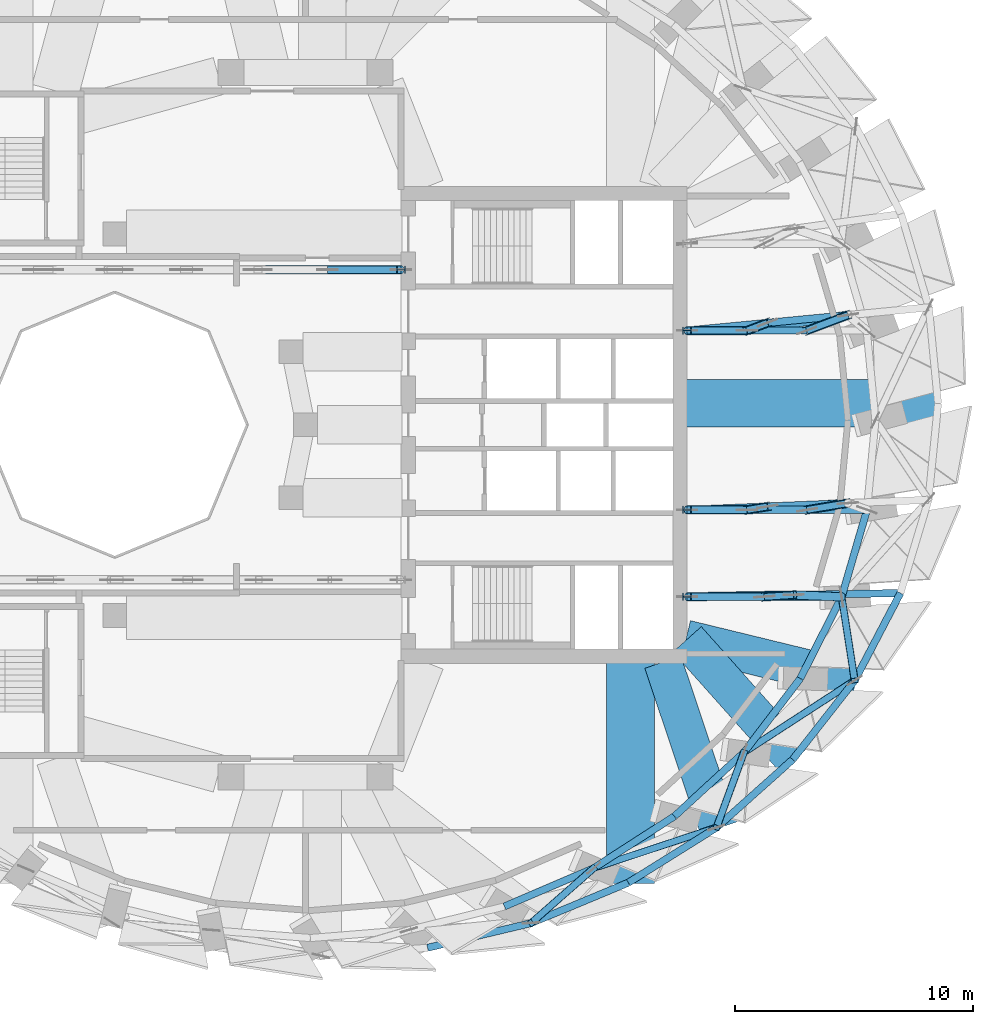
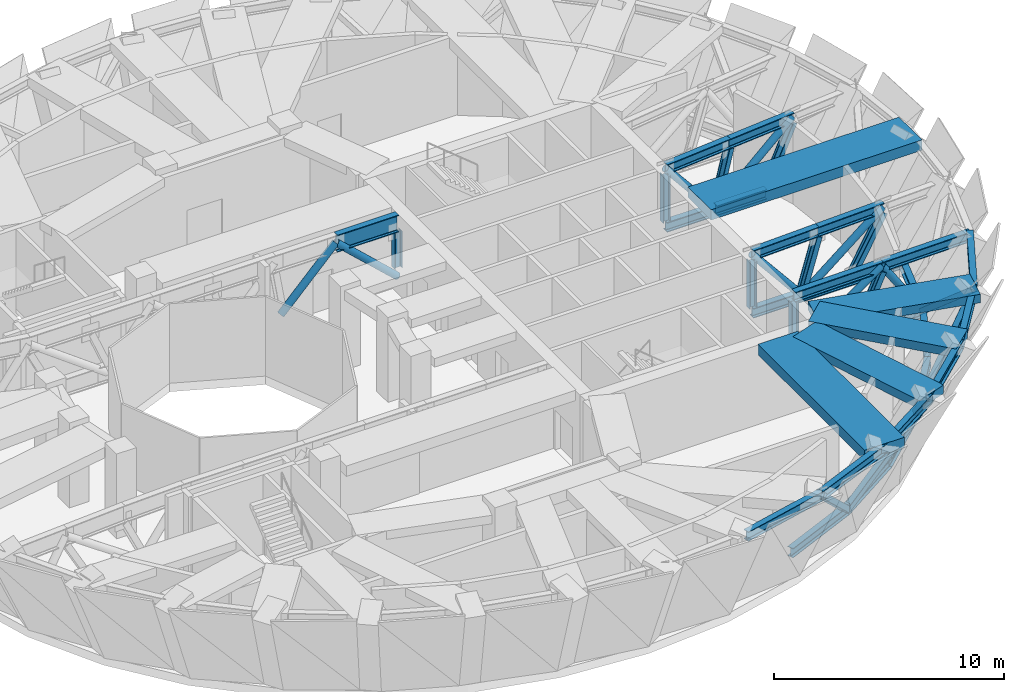
# One storey, part 4 of 16: 48 members, 5 beams.
"""IFC4 building model written with IfcOpenShell, lengths in metres."""

from ifc_helpers import new_model, si_unit, direction, frame, origin, origin_2d, place, context, subcontext, project, spatial, rectangle, hollow_rectangle, hollow_circle, i_section, extrude, material, material_profile, profile_set, type_object, element, save


model = new_model("IFC4")

# Units and contexts
model_context = context("Model", 3, precision=1e-05, world=origin(), true_north=direction((0.0, 1.0)))
body_context = subcontext(model_context, "Body", "Model", "MODEL_VIEW")
ifc_project = project(units=[si_unit("LENGTHUNIT", "METRE"), si_unit("AREAUNIT", "SQUARE_METRE"), si_unit("VOLUMEUNIT", "CUBIC_METRE"), si_unit("PLANEANGLEUNIT", "RADIAN"), si_unit("MASSUNIT", "GRAM", prefix="KILO")], contexts=[model_context])

# Site, building, storey
site_placement = place(None, origin())
site = spatial("IfcSite", under=ifc_project, at=site_placement, CompositionType="ELEMENT")
building_placement = place(site_placement, origin())
building = spatial("IfcBuilding", under=site, at=building_placement, Name="Taillehof Tower", CompositionType="ELEMENT")
storey_placement = place(building_placement, frame((0.0, 0.0, 184.699951171875)))
storey = spatial("IfcBuildingStorey", under=building, at=storey_placement, Name="L52", CompositionType="ELEMENT", Elevation=184.699951171875)

# Members
ifc_material_1 = material(Name="Steel S460M", Category="steel")
ifc_material_profile_1 = material_profile(ifc_material_1, i_section(OverallWidth=0.300048828125, OverallDepth=0.5, WebThickness=0.014404296875, FlangeThickness=0.028076171875, FilletRadius=0.027099609375, at=origin_2d()), Name="HEB 500")
ifc_profile_set_1 = profile_set([ifc_material_profile_1], Name="Steel S460M")
member_type_1 = type_object("IfcMemberType", Name="Belt truss chord HEB 500", PredefinedType="CHORD", material=ifc_profile_set_1)
member_1_placement = place(storey_placement, frame((5.117431640625, -21.928466796875, 3.969970703125), z_axis=(0.972759208768, 0.231817863324, 0.0), x_axis=(-0.231817863324, 0.972759208768, 0.0)))
element("IfcMember", 1, at=member_1_placement, inside=storey, type_object=member_type_1, Name="Belt truss top chord BT29", PredefinedType="CHORD", context=body_context, shape_type="SweptSolid", body=[
    extrude(i_section(OverallWidth=0.300048828125, OverallDepth=0.5, WebThickness=0.014404296875, FlangeThickness=0.028076171875, FilletRadius=0.027099609375, at=origin_2d()), origin(), (0.0, 0.0, 1.0), 4.460205078125),
])
member_2_placement = place(storey_placement, frame((8.340087890625, -20.1943359375, 0.900146484375), z_axis=(0.91907689629, 0.39407823932, 0.0), x_axis=(-0.39407823932, 0.91907689629, 0.0)))
element("IfcMember", 2, at=member_2_placement, inside=storey, type_object=member_type_1, Name="Belt truss bottom chord BB30", PredefinedType="CHORD", context=body_context, shape_type="SweptSolid", body=[
    extrude(i_section(OverallWidth=0.300048828125, OverallDepth=0.5, WebThickness=0.014404296875, FlangeThickness=0.028076171875, FilletRadius=0.027099609375, at=origin_2d()), origin(), (0.0, 0.0, 1.0), 4.078369140625),
])
member_3_placement = place(storey_placement, frame((9.4560546875, -20.89453125, 3.969970703125), z_axis=(0.923338248193, 0.383987603216, 0.0), x_axis=(-0.383987603216, 0.923338248193, 0.0)))
element("IfcMember", 3, at=member_3_placement, inside=storey, type_object=member_type_1, Name="Belt truss top chord BT30", PredefinedType="CHORD", context=body_context, shape_type="SweptSolid", body=[
    extrude(i_section(OverallWidth=0.300048828125, OverallDepth=0.5, WebThickness=0.014404296875, FlangeThickness=0.028076171875, FilletRadius=0.027099609375, at=origin_2d()), origin(), (0.0, 0.0, 1.0), 4.4189453125),
])
member_4_placement = place(storey_placement, frame((12.08837890625, -18.587158203125, 0.900146484375), z_axis=(0.841018640313, 0.541006142891, 0.0), x_axis=(-0.541006142891, 0.841018640313, 0.0)))
element("IfcMember", 4, at=member_4_placement, inside=storey, type_object=member_type_1, Name="Belt truss bottom chord BB31", PredefinedType="CHORD", context=body_context, shape_type="SweptSolid", body=[
    extrude(i_section(OverallWidth=0.300048828125, OverallDepth=0.5, WebThickness=0.014404296875, FlangeThickness=0.028076171875, FilletRadius=0.027099609375, at=origin_2d()), origin(), (0.0, 0.0, 1.0), 4.020751953125),
])
member_5_placement = place(storey_placement, frame((13.5361328125, -19.19775390625, 3.969970703125), z_axis=(0.847979421464, 0.530029150871, 0.0), x_axis=(-0.530029150871, 0.847979421464, 0.0)))
element("IfcMember", 5, at=member_5_placement, inside=storey, type_object=member_type_1, Name="Belt truss top chord BT31", PredefinedType="CHORD", context=body_context, shape_type="SweptSolid", body=[
    extrude(i_section(OverallWidth=0.300048828125, OverallDepth=0.5, WebThickness=0.014404296875, FlangeThickness=0.028076171875, FilletRadius=0.027099609375, at=origin_2d()), origin(), (0.0, 0.0, 1.0), 4.3583984375),
])
member_6_placement = place(storey_placement, frame((15.469970703125, -16.411865234375, 0.900146484375), z_axis=(0.736423875817, 0.676520417376, 0.0), x_axis=(-0.676520417376, 0.736423875817, 0.0)))
element("IfcMember", 6, at=member_6_placement, inside=storey, type_object=member_type_1, Name="Belt truss bottom chord BB32", PredefinedType="CHORD", context=body_context, shape_type="SweptSolid", body=[
    extrude(i_section(OverallWidth=0.300048828125, OverallDepth=0.5, WebThickness=0.014404296875, FlangeThickness=0.028076171875, FilletRadius=0.027099609375, at=origin_2d()), origin(), (0.0, 0.0, 1.0), 3.957275390625),
])
member_7_placement = place(storey_placement, frame((17.23193359375, -16.8876953125, 3.969970703125), z_axis=(0.745945749182, 0.666006711136, 0.0), x_axis=(-0.666006711136, 0.745945749182, 0.0)))
element("IfcMember", 7, at=member_7_placement, inside=storey, type_object=member_type_1, Name="Belt truss top chord BT32", PredefinedType="CHORD", context=body_context, shape_type="SweptSolid", body=[
    extrude(i_section(OverallWidth=0.300048828125, OverallDepth=0.5, WebThickness=0.014404296875, FlangeThickness=0.028076171875, FilletRadius=0.027099609375, at=origin_2d()), origin(), (0.0, 0.0, 1.0), 4.284912109375),
])
member_8_placement = place(storey_placement, frame((18.38427734375, -13.734619140625, 0.900146484375), z_axis=(0.606101773752, 0.795387100633, 0.0), x_axis=(-0.795387100633, 0.606101773752, 0.0)))
element("IfcMember", 8, at=member_8_placement, inside=storey, type_object=member_type_1, Name="Belt truss bottom chord BB33", PredefinedType="CHORD", context=body_context, shape_type="SweptSolid", body=[
    extrude(i_section(OverallWidth=0.300048828125, OverallDepth=0.5, WebThickness=0.014404296875, FlangeThickness=0.028076171875, FilletRadius=0.027099609375, at=origin_2d()), origin(), (0.0, 0.0, 1.0), 3.893798828125),
])
member_9_placement = place(storey_placement, frame((20.42822265625, -14.033935546875, 3.969970703125), z_axis=(0.617152612279, 0.786843474369, 0.0), x_axis=(-0.786843474369, 0.617152612279, 0.0)))
element("IfcMember", 9, at=member_9_placement, inside=storey, type_object=member_type_1, Name="Belt truss top chord BT33", PredefinedType="CHORD", context=body_context, shape_type="SweptSolid", body=[
    extrude(i_section(OverallWidth=0.300048828125, OverallDepth=0.5, WebThickness=0.014404296875, FlangeThickness=0.028076171875, FilletRadius=0.027099609375, at=origin_2d()), origin(), (0.0, 0.0, 1.0), 4.208251953125),
])
member_10_placement = place(storey_placement, frame((20.744384765625, -10.637451171875, 0.900146484375), z_axis=(0.452345345023, 0.891842861067, 0.0), x_axis=(-0.891842861067, 0.452345345023, 0.0)))
element("IfcMember", 10, at=member_10_placement, inside=storey, type_object=member_type_1, Name="Belt truss bottom chord BB34", PredefinedType="CHORD", context=body_context, shape_type="SweptSolid", body=[
    extrude(i_section(OverallWidth=0.300048828125, OverallDepth=0.5, WebThickness=0.014404296875, FlangeThickness=0.028076171875, FilletRadius=0.027099609375, at=origin_2d()), origin(), (0.0, 0.0, 1.0), 3.838623046875),
])
member_11_placement = place(storey_placement, frame((23.025390625, -10.72265625, 3.969970703125), z_axis=(0.463327918582, 0.88618691023, 0.0), x_axis=(-0.88618691023, 0.463327918582, 0.0)))
element("IfcMember", 11, at=member_11_placement, inside=storey, type_object=member_type_1, Name="Belt truss top chord BT34", PredefinedType="CHORD", context=body_context, shape_type="SweptSolid", body=[
    extrude(i_section(OverallWidth=0.300048828125, OverallDepth=0.5, WebThickness=0.014404296875, FlangeThickness=0.028076171875, FilletRadius=0.027099609375, at=origin_2d()), origin(), (0.0, 0.0, 1.0), 4.138427734375),
])
member_12_placement = place(storey_placement, frame((22.480712890625, -7.214111328125, 0.900146484375), z_axis=(0.27926919022, 0.960212851088, 0.0), x_axis=(-0.960212851088, 0.27926919022, 0.0)))
element("IfcMember", 12, at=member_12_placement, inside=storey, type_object=member_type_1, Name="Belt truss bottom chord BB35", PredefinedType="CHORD", context=body_context, shape_type="SweptSolid", body=[
    extrude(i_section(OverallWidth=0.300048828125, OverallDepth=0.5, WebThickness=0.014404296875, FlangeThickness=0.028076171875, FilletRadius=0.027099609375, at=origin_2d()), origin(), (0.0, 0.0, 1.0), 3.797607421875),
])
ifc_material_2 = material(Name="Steel S460M", Category="steel")
ifc_material_profile_2 = material_profile(ifc_material_2, hollow_rectangle(XDim=0.300048828125, YDim=0.300048828125, WallThickness=0.012451171875, InnerFilletRadius=0.012451171875, OuterFilletRadius=0.018798828125, at=origin_2d()), Name="RHS 300x300x12.5")
ifc_profile_set_2 = profile_set([ifc_material_profile_2], Name="Steel S460M")
member_type_2 = type_object("IfcMemberType", Name="Belt truss diagonal RHS 300x300x12.5", PredefinedType="BRACE", material=ifc_profile_set_2)
member_13_placement = place(storey_placement, frame((9.4560546875, -20.89453125, 3.969970703125), z_axis=(0.565380171242, 0.49558597648, -0.659348012724), x_axis=(-0.659166011085, 0.75199745334, 0.0)))
element("IfcMember", 13, at=member_13_placement, inside=storey, type_object=member_type_2, Name="Belt truss diagonal BX30", PredefinedType="BRACE", context=body_context, shape_type="SweptSolid", body=[
    extrude(hollow_rectangle(XDim=0.300048828125, YDim=0.300048828125, WallThickness=0.012451171875, InnerFilletRadius=0.012451171875, OuterFilletRadius=0.018798828125, at=origin_2d()), origin(), (0.0, 0.0, 1.0), 4.65576171875),
])
member_14_placement = place(storey_placement, frame((12.08837890625, -18.587158203125, 0.900146484375), z_axis=(0.826087070715, 0.27294437532, 0.493032980215), x_axis=(-0.313725337109, 0.949513777075, 0.0)))
element("IfcMember", 14, at=member_14_placement, inside=storey, type_object=member_type_2, Name="Belt truss diagonal BX31", PredefinedType="BRACE", context=body_context, shape_type="SweptSolid", body=[
    extrude(hollow_rectangle(XDim=0.300048828125, YDim=0.300048828125, WallThickness=0.012451171875, InnerFilletRadius=0.012451171875, OuterFilletRadius=0.018798828125, at=origin_2d()), origin(), (0.0, 0.0, 1.0), 6.226318359375),
])
member_15_placement = place(storey_placement, frame((17.23193359375, -16.8876953125, 3.969970703125), z_axis=(0.253316780977, 0.693132675067, -0.674831611018), x_axis=(-0.939240126115, 0.343260812641, 0.0)))
element("IfcMember", 15, at=member_15_placement, inside=storey, type_object=member_type_2, Name="Belt truss diagonal BX32", PredefinedType="BRACE", context=body_context, shape_type="SweptSolid", body=[
    extrude(hollow_rectangle(XDim=0.300048828125, YDim=0.300048828125, WallThickness=0.012451171875, InnerFilletRadius=0.012451171875, OuterFilletRadius=0.018798828125, at=origin_2d()), origin(), (0.0, 0.0, 1.0), 4.549072265625),
])
member_16_placement = place(storey_placement, frame((18.38427734375, -13.734619140625, 0.900146484375), z_axis=(0.733497433384, 0.476020927704, 0.485165530109), x_axis=(-0.544383317131, 0.838836577665, 0.0)))
element("IfcMember", 16, at=member_16_placement, inside=storey, type_object=member_type_2, Name="Belt truss diagonal BX33", PredefinedType="BRACE", context=body_context, shape_type="SweptSolid", body=[
    extrude(hollow_rectangle(XDim=0.300048828125, YDim=0.300048828125, WallThickness=0.012451171875, InnerFilletRadius=0.012451171875, OuterFilletRadius=0.018798828125, at=origin_2d()), origin(), (0.0, 0.0, 1.0), 6.327392578125),
])
member_17_placement = place(storey_placement, frame((23.025390625, -10.72265625, 3.969970703125), z_axis=(-0.116045581226, 0.747508313667, -0.654037265051), x_axis=(-0.988163302435, -0.153405631322, 0.0)))
element("IfcMember", 17, at=member_17_placement, inside=storey, type_object=member_type_2, Name="Belt truss diagonal BX34", PredefinedType="BRACE", context=body_context, shape_type="SweptSolid", body=[
    extrude(hollow_rectangle(XDim=0.300048828125, YDim=0.300048828125, WallThickness=0.012451171875, InnerFilletRadius=0.012451171875, OuterFilletRadius=0.018798828125, at=origin_2d()), origin(), (0.0, 0.0, 1.0), 4.693603515625),
])
ifc_material_3 = material(Name="Steel S460M", Category="steel")
ifc_material_profile_3 = material_profile(ifc_material_3, i_section(OverallWidth=0.305908203125, OverallDepth=0.52392578125, WebThickness=0.02099609375, FlangeThickness=0.0400390625, FilletRadius=0.027099609375, at=origin_2d()), Name="HEM 500")
ifc_profile_set_3 = profile_set([ifc_material_profile_3], Name="Steel S460M")
member_type_3 = type_object("IfcMemberType", Name="Outrigger chord HEM 500", PredefinedType="CHORD", material=ifc_profile_set_3)
member_18_placement = place(storey_placement, frame((16.0, 3.950927734375, 0.900146484375), z_axis=(1.0, 0.0, 0.0), x_axis=(0.0, 1.0, 0.0)))
element("IfcMember", 18, at=member_18_placement, inside=storey, type_object=member_type_3, Name="Outrigger OT1 bottom chord 01", PredefinedType="CHORD", context=body_context, shape_type="SweptSolid", body=[
    extrude(i_section(OverallWidth=0.305908203125, OverallDepth=0.52392578125, WebThickness=0.02099609375, FlangeThickness=0.0400390625, FilletRadius=0.027099609375, at=origin_2d()), origin(), (0.0, 0.0, 1.0), 2.510009765625),
])
member_19_placement = place(storey_placement, frame((16.0, 3.950927734375, 3.9580078125), z_axis=(0.995403750528, 0.09576728792, 0.0), x_axis=(-0.09576728792, 0.995403750528, 0.0)))
element("IfcMember", 19, at=member_19_placement, inside=storey, type_object=member_type_3, Name="Outrigger OT1 top chord 01", PredefinedType="CHORD", context=body_context, shape_type="SweptSolid", body=[
    extrude(i_section(OverallWidth=0.305908203125, OverallDepth=0.52392578125, WebThickness=0.02099609375, FlangeThickness=0.0400390625, FilletRadius=0.027099609375, at=origin_2d()), origin(), (0.0, 0.0, 1.0), 3.390625),
])
member_20_placement = place(storey_placement, frame((18.510009765625, 3.950927734375, 0.900146484375), z_axis=(1.0, 0.0, 0.0), x_axis=(0.0, 1.0, 0.0)))
element("IfcMember", 20, at=member_20_placement, inside=storey, type_object=member_type_3, Name="Outrigger OT1 bottom chord 02", PredefinedType="CHORD", context=body_context, shape_type="SweptSolid", body=[
    extrude(i_section(OverallWidth=0.305908203125, OverallDepth=0.52392578125, WebThickness=0.02099609375, FlangeThickness=0.0400390625, FilletRadius=0.027099609375, at=origin_2d()), origin(), (0.0, 0.0, 1.0), 2.510009765625),
])
member_21_placement = place(storey_placement, frame((19.375, 4.275634765625, 3.9580078125), z_axis=(0.995403090067, 0.095774152484, 0.0), x_axis=(-0.095774152484, 0.995403090067, 0.0)))
element("IfcMember", 21, at=member_21_placement, inside=storey, type_object=member_type_3, Name="Outrigger OT1 top chord 02", PredefinedType="CHORD", context=body_context, shape_type="SweptSolid", body=[
    extrude(i_section(OverallWidth=0.305908203125, OverallDepth=0.52392578125, WebThickness=0.02099609375, FlangeThickness=0.0400390625, FilletRadius=0.027099609375, at=origin_2d()), origin(), (0.0, 0.0, 1.0), 3.390380859375),
])
member_22_placement = place(storey_placement, frame((16.0, -7.214111328125, 0.900146484375), z_axis=(1.0, 0.0, 0.0), x_axis=(0.0, 1.0, 0.0)))
element("IfcMember", 22, at=member_22_placement, inside=storey, type_object=member_type_3, Name="Outrigger OT3 bottom chord 01", PredefinedType="CHORD", context=body_context, shape_type="SweptSolid", body=[
    extrude(i_section(OverallWidth=0.305908203125, OverallDepth=0.52392578125, WebThickness=0.02099609375, FlangeThickness=0.0400390625, FilletRadius=0.027099609375, at=origin_2d()), origin(), (0.0, 0.0, 1.0), 3.240478515625),
])
member_23_placement = place(storey_placement, frame((16.0, -7.214111328125, 3.9580078125), z_axis=(0.999842250088, 0.017761614172, 0.0), x_axis=(-0.017761614172, 0.999842250088, 0.0)))
element("IfcMember", 23, at=member_23_placement, inside=storey, type_object=member_type_3, Name="Outrigger OT3 top chord 01", PredefinedType="CHORD", context=body_context, shape_type="SweptSolid", body=[
    extrude(i_section(OverallWidth=0.305908203125, OverallDepth=0.52392578125, WebThickness=0.02099609375, FlangeThickness=0.0400390625, FilletRadius=0.027099609375, at=origin_2d()), origin(), (0.0, 0.0, 1.0), 4.46728515625),
])
member_24_placement = place(storey_placement, frame((19.240478515625, -7.214111328125, 0.900146484375), z_axis=(1.0, 0.0, 0.0), x_axis=(0.0, 1.0, 0.0)))
element("IfcMember", 24, at=member_24_placement, inside=storey, type_object=member_type_3, Name="Outrigger OT3 bottom chord 02", PredefinedType="CHORD", context=body_context, shape_type="SweptSolid", body=[
    extrude(i_section(OverallWidth=0.305908203125, OverallDepth=0.52392578125, WebThickness=0.02099609375, FlangeThickness=0.0400390625, FilletRadius=0.027099609375, at=origin_2d()), origin(), (0.0, 0.0, 1.0), 3.240234375),
])
member_25_placement = place(storey_placement, frame((20.466552734375, -7.134765625, 3.9580078125), z_axis=(0.999843219136, 0.017706980213, 0.0), x_axis=(-0.017706980213, 0.999843219136, 0.0)))
element("IfcMember", 25, at=member_25_placement, inside=storey, type_object=member_type_3, Name="Outrigger OT3 top chord 02", PredefinedType="CHORD", context=body_context, shape_type="SweptSolid", body=[
    extrude(i_section(OverallWidth=0.305908203125, OverallDepth=0.52392578125, WebThickness=0.02099609375, FlangeThickness=0.0400390625, FilletRadius=0.027099609375, at=origin_2d()), origin(), (0.0, 0.0, 1.0), 4.46728515625),
])
member_26_placement = place(storey_placement, frame((16.0, -3.567626953125, 0.900146484375), z_axis=(1.0, 0.0, 0.0), x_axis=(0.0, 1.0, 0.0)))
element("IfcMember", 26, at=member_26_placement, inside=storey, type_object=member_type_3, Name="Outrigger OT4 bottom chord 01", PredefinedType="CHORD", context=body_context, shape_type="SweptSolid", body=[
    extrude(i_section(OverallWidth=0.305908203125, OverallDepth=0.52392578125, WebThickness=0.02099609375, FlangeThickness=0.0400390625, FilletRadius=0.027099609375, at=origin_2d()), origin(), (0.0, 0.0, 1.0), 2.513671875),
])
member_27_placement = place(storey_placement, frame((16.0, -3.567626953125, 3.9580078125), z_axis=(0.999127544899, 0.041763010244, 0.0), x_axis=(-0.041763010244, 0.999127544899, 0.0)))
element("IfcMember", 27, at=member_27_placement, inside=storey, type_object=member_type_3, Name="Outrigger OT4 top chord 01", PredefinedType="CHORD", context=body_context, shape_type="SweptSolid", body=[
    extrude(i_section(OverallWidth=0.305908203125, OverallDepth=0.52392578125, WebThickness=0.02099609375, FlangeThickness=0.0400390625, FilletRadius=0.027099609375, at=origin_2d()), origin(), (0.0, 0.0, 1.0), 3.373046875),
])
member_28_placement = place(storey_placement, frame((18.513671875, -3.567626953125, 0.900146484375), z_axis=(1.0, 0.0, 0.0), x_axis=(0.0, 1.0, 0.0)))
element("IfcMember", 28, at=member_28_placement, inside=storey, type_object=member_type_3, Name="Outrigger OT4 bottom chord 02", PredefinedType="CHORD", context=body_context, shape_type="SweptSolid", body=[
    extrude(i_section(OverallWidth=0.305908203125, OverallDepth=0.52392578125, WebThickness=0.02099609375, FlangeThickness=0.0400390625, FilletRadius=0.027099609375, at=origin_2d()), origin(), (0.0, 0.0, 1.0), 2.513916015625),
])
member_29_placement = place(storey_placement, frame((19.3701171875, -3.4267578125, 3.9580078125), z_axis=(0.999127544899, 0.041763010244, 0.0), x_axis=(-0.041763010244, 0.999127544899, 0.0)))
element("IfcMember", 29, at=member_29_placement, inside=storey, type_object=member_type_3, Name="Outrigger OT4 top chord 02", PredefinedType="CHORD", context=body_context, shape_type="SweptSolid", body=[
    extrude(i_section(OverallWidth=0.305908203125, OverallDepth=0.52392578125, WebThickness=0.02099609375, FlangeThickness=0.0400390625, FilletRadius=0.027099609375, at=origin_2d()), origin(), (0.0, 0.0, 1.0), 3.373046875),
])
member_30_placement = place(storey_placement, frame((21.027587890625, -3.567626953125, 0.900146484375), z_axis=(1.0, 0.0, 0.0), x_axis=(0.0, 1.0, 0.0)))
element("IfcMember", 30, at=member_30_placement, inside=storey, type_object=member_type_3, Name="Outrigger OT4 bottom chord 03", PredefinedType="CHORD", context=body_context, shape_type="SweptSolid", body=[
    extrude(i_section(OverallWidth=0.305908203125, OverallDepth=0.52392578125, WebThickness=0.02099609375, FlangeThickness=0.0400390625, FilletRadius=0.027099609375, at=origin_2d()), origin(), (0.0, 0.0, 1.0), 2.513671875),
])
ifc_material_4 = material(Name="Steel S460M", Category="steel")
ifc_material_profile_4 = material_profile(ifc_material_4, i_section(OverallWidth=0.302001953125, OverallDepth=0.909912109375, WebThickness=0.02099609375, FlangeThickness=0.0400390625, FilletRadius=0.030029296875, at=origin_2d()), Name="HEM 900")
ifc_profile_set_4 = profile_set([ifc_material_profile_4], Name="Steel S460M")
member_type_4 = type_object("IfcMemberType", Name="Outrigger chord HEM 900", PredefinedType="CHORD", material=ifc_profile_set_4)
member_31_placement = place(storey_placement, frame((4.0, 6.5, 3.76513671875), z_axis=(-1.0, 0.0, 0.0), x_axis=(0.0, -1.0, 0.0)))
element("IfcMember", 31, at=member_31_placement, inside=storey, type_object=member_type_4, Name="Outrigger OT5 top chord 01", PredefinedType="CHORD", context=body_context, shape_type="SweptSolid", body=[
    extrude(i_section(OverallWidth=0.302001953125, OverallDepth=0.909912109375, WebThickness=0.02099609375, FlangeThickness=0.0400390625, FilletRadius=0.030029296875, at=origin_2d()), origin(), (0.0, 0.0, 1.0), 3.081787109375),
])
ifc_material_5 = material(Name="Steel S460M", Category="steel")
ifc_material_profile_5 = material_profile(ifc_material_5, hollow_circle(Radius=0.177734375, WallThickness=0.01611328125, at=origin_2d()), Name="CHS 355.6x16")
ifc_profile_set_5 = profile_set([ifc_material_profile_5], Name="Steel S460M")
member_type_5 = type_object("IfcMemberType", Name="Outrigger diagonal CHS 355.6x16", PredefinedType="BRACE", material=ifc_profile_set_5)
member_32_placement = place(storey_placement, frame((16.0, 3.950927734375, 3.9580078125), z_axis=(0.634466964971, 0.0, -0.77294997921), x_axis=(0.0, 1.0, 0.0)))
element("IfcMember", 32, at=member_32_placement, inside=storey, type_object=member_type_5, Name="Outrigger OT1 diagonal 01", PredefinedType="BRACE", context=body_context, shape_type="SweptSolid", body=[
    extrude(hollow_circle(Radius=0.177734375, WallThickness=0.01611328125, at=origin_2d()), origin(), (0.0, 0.0, 1.0), 3.9560546875),
])
member_33_placement = place(storey_placement, frame((18.510009765625, 3.950927734375, 0.900146484375), z_axis=(0.804871115417, 0.123284415928, 0.580502747932), x_axis=(-0.151407013891, 0.988471504974, 0.0)))
element("IfcMember", 33, at=member_33_placement, inside=storey, type_object=member_type_5, Name="Outrigger OT1 diagonal 02", PredefinedType="BRACE", context=body_context, shape_type="SweptSolid", body=[
    extrude(hollow_circle(Radius=0.177734375, WallThickness=0.01611328125, at=origin_2d()), origin(), (0.0, 0.0, 1.0), 5.267578125),
])
member_34_placement = place(storey_placement, frame((16.0, -7.214111328125, 0.900146484375), z_axis=(0.825063714712, 0.014656775473, 0.56484957785), x_axis=(-0.017761614172, 0.999842250088, 0.0)))
element("IfcMember", 34, at=member_34_placement, inside=storey, type_object=member_type_5, Name="Outrigger OT3 diagonal 01", PredefinedType="BRACE", context=body_context, shape_type="SweptSolid", body=[
    extrude(hollow_circle(Radius=0.177734375, WallThickness=0.01611328125, at=origin_2d()), origin(), (0.0, 0.0, 1.0), 5.41357421875),
])
member_35_placement = place(storey_placement, frame((20.466552734375, -7.134765625, 3.9580078125), z_axis=(0.549946535575, -0.021664560492, -0.834918831281), x_axis=(0.039363407544, 0.99922496073, 0.0)))
element("IfcMember", 35, at=member_35_placement, inside=storey, type_object=member_type_5, Name="Outrigger OT3 diagonal 02", PredefinedType="BRACE", context=body_context, shape_type="SweptSolid", body=[
    extrude(hollow_circle(Radius=0.177734375, WallThickness=0.01611328125, at=origin_2d()), origin(), (0.0, 0.0, 1.0), 3.662353515625),
])
member_36_placement = place(storey_placement, frame((16.0, -3.567626953125, 3.9580078125), z_axis=(0.635019532181, 0.0, -0.772496080086), x_axis=(0.0, 1.0, 0.0)))
element("IfcMember", 36, at=member_36_placement, inside=storey, type_object=member_type_5, Name="Outrigger OT4 diagonal 01", PredefinedType="BRACE", context=body_context, shape_type="SweptSolid", body=[
    extrude(hollow_circle(Radius=0.177734375, WallThickness=0.01611328125, at=origin_2d()), origin(), (0.0, 0.0, 1.0), 3.95849609375),
])
member_37_placement = place(storey_placement, frame((18.513671875, -3.567626953125, 0.900146484375), z_axis=(0.809013756086, 0.053928019554, 0.585310610847), x_axis=(-0.066511359793, 0.997785667876, 0.0)))
element("IfcMember", 37, at=member_37_placement, inside=storey, type_object=member_type_5, Name="Outrigger OT4 diagonal 02", PredefinedType="BRACE", context=body_context, shape_type="SweptSolid", body=[
    extrude(hollow_circle(Radius=0.177734375, WallThickness=0.01611328125, at=origin_2d()), origin(), (0.0, 0.0, 1.0), 5.224365234375),
])
member_38_placement = place(storey_placement, frame((4.0, 6.5, 0.900146484375), z_axis=(-0.732398666808, 0.0, 0.680876048086), x_axis=(0.0, -1.0, 0.0)))
element("IfcMember", 38, at=member_38_placement, inside=storey, type_object=member_type_5, Name="Outrigger OT5 diagonal 01", PredefinedType="BRACE", context=body_context, shape_type="SweptSolid", body=[
    extrude(hollow_circle(Radius=0.177734375, WallThickness=0.01611328125, at=origin_2d()), origin(), (0.0, 0.0, 1.0), 4.207763671875),
])
member_39_placement = place(storey_placement, frame((0.918212890625, 6.5, 3.76513671875), z_axis=(-0.693055924997, 0.0, -0.720883822003), x_axis=(0.0, -1.0, 0.0)))
element("IfcMember", 39, at=member_39_placement, inside=storey, type_object=member_type_5, Name="Outrigger OT5 diagonal 02", PredefinedType="BRACE", context=body_context, shape_type="SweptSolid", body=[
    extrude(hollow_circle(Radius=0.177734375, WallThickness=0.01611328125, at=origin_2d()), origin(), (0.0, 0.0, 1.0), 3.974365234375),
])
ifc_material_6 = material(Name="Steel S460M", Category="steel")
ifc_material_profile_6 = material_profile(ifc_material_6, i_section(OverallWidth=0.300048828125, OverallDepth=0.360107421875, WebThickness=0.012451171875, FlangeThickness=0.0224609375, FilletRadius=0.027099609375, at=origin_2d()), Name="HEB 360")
ifc_profile_set_6 = profile_set([ifc_material_profile_6], Name="Steel S460M")
member_type_6 = type_object("IfcMemberType", Name="Outrigger post HEB 360", PredefinedType="POST", material=ifc_profile_set_6)
member_40_placement = place(storey_placement, frame((16.0, 3.950927734375, 1.162109375), z_axis=(0.0, 0.0, 1.0), x_axis=(0.0, -1.0, 0.0)))
element("IfcMember", 40, at=member_40_placement, inside=storey, type_object=member_type_6, Name="Outrigger OT1 post 01", PredefinedType="POST", context=body_context, shape_type="SweptSolid", body=[
    extrude(i_section(OverallWidth=0.300048828125, OverallDepth=0.360107421875, WebThickness=0.012451171875, FlangeThickness=0.0224609375, FilletRadius=0.027099609375, at=origin_2d()), origin(), (0.0, 0.0, 1.0), 2.533935546875),
])
member_41_placement = place(storey_placement, frame((18.510009765625, 3.950927734375, 1.162109375), z_axis=(0.320708494111, 0.120390148791, 0.939495755115), x_axis=(0.879565012262, 0.330178229271, -0.34256054373)))
element("IfcMember", 41, at=member_41_placement, inside=storey, type_object=member_type_6, Name="Outrigger OT1 post 02", PredefinedType="POST", context=body_context, shape_type="SweptSolid", body=[
    extrude(i_section(OverallWidth=0.300048828125, OverallDepth=0.360107421875, WebThickness=0.012451171875, FlangeThickness=0.0224609375, FilletRadius=0.027099609375, at=origin_2d()), origin(), (0.0, 0.0, 1.0), 2.697021484375),
])
member_42_placement = place(storey_placement, frame((21.02001953125, 3.950927734375, 1.162109375), z_axis=(0.551572408809, 0.207082936829, 0.808012707273), x_axis=(0.756456123264, 0.28400469836, -0.58916505742)))
element("IfcMember", 42, at=member_42_placement, inside=storey, type_object=member_type_6, Name="Outrigger OT1 post 03", PredefinedType="POST", context=body_context, shape_type="SweptSolid", body=[
    extrude(i_section(OverallWidth=0.300048828125, OverallDepth=0.360107421875, WebThickness=0.012451171875, FlangeThickness=0.0224609375, FilletRadius=0.027099609375, at=origin_2d()), origin(), (0.0, 0.0, 1.0), 3.135986328125),
])
member_43_placement = place(storey_placement, frame((16.0, -7.214111328125, 1.162109375), z_axis=(0.0, 0.0, 1.0), x_axis=(0.0, -1.0, 0.0)))
element("IfcMember", 43, at=member_43_placement, inside=storey, type_object=member_type_6, Name="Outrigger OT3 post 01", PredefinedType="POST", context=body_context, shape_type="SweptSolid", body=[
    extrude(i_section(OverallWidth=0.300048828125, OverallDepth=0.360107421875, WebThickness=0.012451171875, FlangeThickness=0.0224609375, FilletRadius=0.027099609375, at=origin_2d()), origin(), (0.0, 0.0, 1.0), 2.533935546875),
])
member_44_placement = place(storey_placement, frame((19.240478515625, -7.214111328125, 1.162109375), z_axis=(0.435381204929, 0.028175804779, 0.899805162477), x_axis=(0.89792683954, 0.058109562495, -0.436291954522)))
element("IfcMember", 44, at=member_44_placement, inside=storey, type_object=member_type_6, Name="Outrigger OT3 post 02", PredefinedType="POST", context=body_context, shape_type="SweptSolid", body=[
    extrude(i_section(OverallWidth=0.300048828125, OverallDepth=0.360107421875, WebThickness=0.012451171875, FlangeThickness=0.0224609375, FilletRadius=0.027099609375, at=origin_2d()), origin(), (0.0, 0.0, 1.0), 2.816162109375),
])
member_45_placement = place(storey_placement, frame((16.0, -3.567626953125, 1.162109375), z_axis=(0.0, 0.0, 1.0), x_axis=(0.0, -1.0, 0.0)))
element("IfcMember", 45, at=member_45_placement, inside=storey, type_object=member_type_6, Name="Outrigger OT4 post 01", PredefinedType="POST", context=body_context, shape_type="SweptSolid", body=[
    extrude(i_section(OverallWidth=0.300048828125, OverallDepth=0.360107421875, WebThickness=0.012451171875, FlangeThickness=0.0224609375, FilletRadius=0.027099609375, at=origin_2d()), origin(), (0.0, 0.0, 1.0), 2.533935546875),
])
member_46_placement = place(storey_placement, frame((18.513671875, -3.567626953125, 1.162109375), z_axis=(0.319752348604, 0.05259324548, 0.946040372337), x_axis=(0.933497197308, 0.153542726011, -0.324048783222)))
element("IfcMember", 46, at=member_46_placement, inside=storey, type_object=member_type_6, Name="Outrigger OT4 post 02", PredefinedType="POST", context=body_context, shape_type="SweptSolid", body=[
    extrude(i_section(OverallWidth=0.300048828125, OverallDepth=0.360107421875, WebThickness=0.012451171875, FlangeThickness=0.0224609375, FilletRadius=0.027099609375, at=origin_2d()), origin(), (0.0, 0.0, 1.0), 2.678466796875),
])
member_47_placement = place(storey_placement, frame((21.027587890625, -3.567626953125, 1.162109375), z_axis=(0.55761498446, 0.091730248335, 0.825015812361), x_axis=(0.814074197022, 0.133918976958, -0.565109643657)))
element("IfcMember", 47, at=member_47_placement, inside=storey, type_object=member_type_6, Name="Outrigger OT4 post 03", PredefinedType="POST", context=body_context, shape_type="SweptSolid", body=[
    extrude(i_section(OverallWidth=0.300048828125, OverallDepth=0.360107421875, WebThickness=0.012451171875, FlangeThickness=0.0224609375, FilletRadius=0.027099609375, at=origin_2d()), origin(), (0.0, 0.0, 1.0), 3.0712890625),
])
member_48_placement = place(storey_placement, frame((4.0, 6.5, 1.35498046875), z_axis=(0.0, 0.0, 1.0), x_axis=(0.0, 1.0, 0.0)))
element("IfcMember", 48, at=member_48_placement, inside=storey, type_object=member_type_6, Name="Outrigger OT5 post 01", PredefinedType="POST", context=body_context, shape_type="SweptSolid", body=[
    extrude(i_section(OverallWidth=0.300048828125, OverallDepth=0.360107421875, WebThickness=0.012451171875, FlangeThickness=0.0224609375, FilletRadius=0.027099609375, at=origin_2d()), origin(), (0.0, 0.0, 1.0), 1.955078125),
])

# Beams
ifc_material_7 = material(Name="Concrete C50/60", Category="concrete")
ifc_material_profile_7 = material_profile(ifc_material_7, rectangle(XDim=1.60009765625, YDim=0.449951171875, at=origin_2d()), Name="RC 1600x450")
ifc_profile_set_7 = profile_set([ifc_material_profile_7], Name="Concrete C50/60")
beam_type_1 = type_object("IfcBeamType", Name="Radial band beam C50/60 1600x450", PredefinedType="BEAM", material=ifc_profile_set_7)
beam_1_placement = place(storey_placement, frame((17.316162109375, -16.91064453125, 3.9951171875), z_axis=(-0.317784323624, 0.948163025887, 0.0), x_axis=(-0.948163025887, -0.317784323624, 0.0)))
element("IfcBeam", 49, at=beam_1_placement, inside=storey, type_object=beam_type_1, Name="Radial band beam RB32", PredefinedType="BEAM", context=body_context, shape_type="SweptSolid", body=[
    extrude(rectangle(XDim=1.60009765625, YDim=0.449951171875, at=origin_2d()), origin(), (0.0, 0.0, 1.0), 7.33837890625),
])
beam_2_placement = place(storey_placement, frame((20.502197265625, -14.044921875, 3.9951171875), z_axis=(-0.665845101725, 0.746090008316, 0.0), x_axis=(-0.746090008316, -0.665845101725, 0.0)))
element("IfcBeam", 50, at=beam_2_placement, inside=storey, type_object=beam_type_1, Name="Radial band beam RB33", PredefinedType="BEAM", context=body_context, shape_type="SweptSolid", body=[
    extrude(rectangle(XDim=1.60009765625, YDim=0.449951171875, at=origin_2d()), origin(), (0.0, 0.0, 1.0), 6.766357421875),
])
beam_3_placement = place(storey_placement, frame((23.086669921875, -10.72509765625, 3.9951171875), z_axis=(-0.971629622102, 0.236507668912, 0.0), x_axis=(-0.236507668912, -0.971629622102, 0.0)))
element("IfcBeam", 51, at=beam_3_placement, inside=storey, type_object=beam_type_1, Name="Radial band beam RB34", PredefinedType="BEAM", context=body_context, shape_type="SweptSolid", body=[
    extrude(rectangle(XDim=1.60009765625, YDim=0.449951171875, at=origin_2d()), origin(), (0.0, 0.0, 1.0), 7.343505859375),
])
ifc_material_8 = material(Name="Concrete C50/60", Category="concrete")
ifc_material_profile_8 = material_profile(ifc_material_8, rectangle(XDim=2.0, YDim=0.550048828125, at=origin_2d()), Name="RC 2000x550")
ifc_profile_set_8 = profile_set([ifc_material_profile_8], Name="Concrete C50/60")
beam_type_2 = type_object("IfcBeamType", Name="Radial band beam C50/60 2000x550", PredefinedType="BEAM", material=ifc_profile_set_8)
beam_4_placement = place(storey_placement, frame((26.550048828125, 0.89990234375, 3.945068359375), z_axis=(-1.0, 0.0, 0.0), x_axis=(0.0, -1.0, 0.0)))
element("IfcBeam", 52, at=beam_4_placement, inside=storey, type_object=beam_type_2, Name="Radial band beam RB01", PredefinedType="BEAM", context=body_context, shape_type="SweptSolid", body=[
    extrude(rectangle(XDim=2.0, YDim=0.550048828125, at=origin_2d()), origin(), (0.0, 0.0, 1.0), 10.60009765625),
])
beam_5_placement = place(storey_placement, frame((13.625, -19.235107421875, 3.945068359375), z_axis=(0.0, 1.0, 0.0), x_axis=(-1.0, 0.0, 0.0)))
element("IfcBeam", 53, at=beam_5_placement, inside=storey, type_object=beam_type_2, Name="Radial band beam RB31", PredefinedType="BEAM", context=body_context, shape_type="SweptSolid", body=[
    extrude(rectangle(XDim=2.0, YDim=0.550048828125, at=origin_2d()), origin(), (0.0, 0.0, 1.0), 9.28515625),
])

save(model, "model.ifc")
